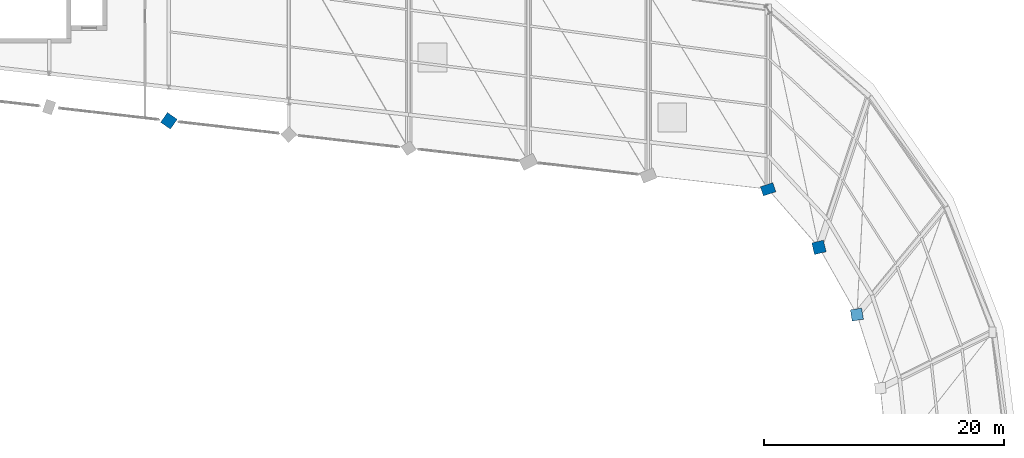
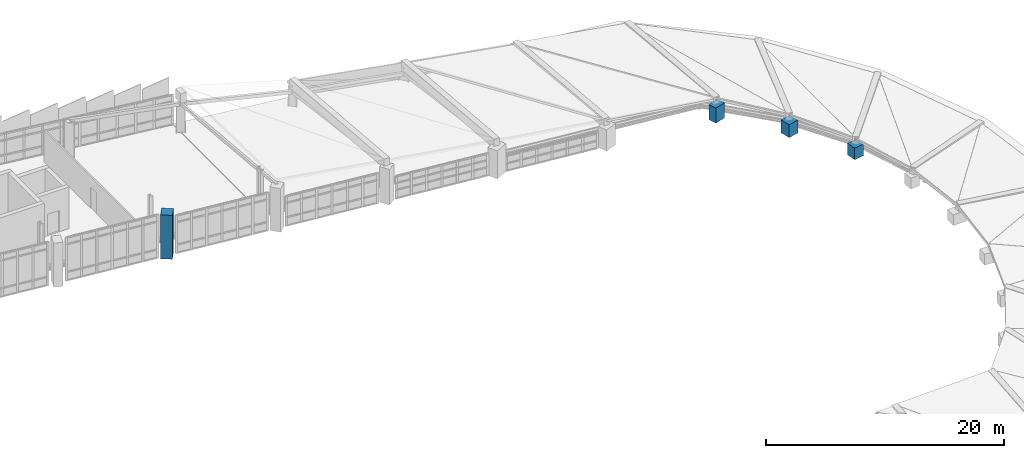
# One storey, part 8 of 67: 4 columns.
"""IFC4 building model written with IfcOpenShell, lengths in metres."""

from ifc_helpers import new_model, si_unit, direction, frame, origin, origin_2d, place, context, subcontext, project, spatial, rectangle, extrude, material, material_profile, profile_set, type_object, element, save


model = new_model("IFC4")

# Units and contexts
model_context = context("Model", 3, precision=1e-05, world=origin(), true_north=direction((0.0, 1.0)))
body_context = subcontext(model_context, "Body", "Model", "MODEL_VIEW")
ifc_project = project(units=[si_unit("LENGTHUNIT", "METRE"), si_unit("AREAUNIT", "SQUARE_METRE"), si_unit("VOLUMEUNIT", "CUBIC_METRE"), si_unit("PLANEANGLEUNIT", "RADIAN"), si_unit("MASSUNIT", "GRAM", prefix="KILO")], contexts=[model_context])

# Site, building, storey
site_placement = place(None, origin())
site = spatial("IfcSite", under=ifc_project, at=site_placement, CompositionType="ELEMENT")
building_placement = place(site_placement, origin())
building = spatial("IfcBuilding", under=site, at=building_placement, Name="Sohan Crest Arena", CompositionType="ELEMENT")
storey_placement = place(building_placement, frame((0.0, 0.0, 22.5)))
storey = spatial("IfcBuildingStorey", under=building, at=storey_placement, Name="L05", CompositionType="ELEMENT", Elevation=22.5)

# Columns
ifc_material = material(Name="Concrete C40/50", Category="concrete")
ifc_material_profile_1 = material_profile(ifc_material, rectangle(XDim=0.949951171875, YDim=0.949951171875, at=origin_2d()), Name="RC 950x950")
ifc_profile_set_1 = profile_set([ifc_material_profile_1], Name="Concrete C40/50")
column_type_1 = type_object("IfcColumnType", Name="STR-COL-C08", PredefinedType="COLUMN", material=ifc_profile_set_1)
column_1_placement = place(storey_placement, frame((175.408935546875, 90.544921875, 0.0), z_axis=(0.0, 0.0, 1.0), x_axis=(0.987136265073, 0.159881187692, 0.0)))
element("IfcColumn", 1, at=column_1_placement, inside=storey, type_object=column_type_1, Name="Structural column COL-V1R-26-L05", PredefinedType="COLUMN", context=body_context, shape_type="SweptSolid", body=[
    extrude(rectangle(XDim=0.949951171875, YDim=0.949951171875, at=origin_2d()), origin(), (0.0, 0.0, 1.0), 1.18310546875),
])
ifc_material_profile_2 = material_profile(ifc_material, rectangle(XDim=1.0, YDim=1.0, at=origin_2d()), Name="RC 1000x1000")
ifc_profile_set_2 = profile_set([ifc_material_profile_2], Name="Concrete C40/50")
column_type_2 = type_object("IfcColumnType", Name="STR-COL-C09", PredefinedType="COLUMN", material=ifc_profile_set_2)
column_2_placement = place(storey_placement, frame((172.242919921875, 96.154052734375, 0.0), z_axis=(0.0, 0.0, 1.0), x_axis=(0.971549119998, 0.236838146066, 0.0)))
element("IfcColumn", 2, at=column_2_placement, inside=storey, type_object=column_type_2, Name="Structural column COL-V1R-27-L05", PredefinedType="COLUMN", context=body_context, shape_type="SweptSolid", body=[
    extrude(rectangle(XDim=1.0, YDim=1.0, at=origin_2d()), origin(), (0.0, 0.0, 1.0), 1.324951171875),
])
column_3_placement = place(storey_placement, frame((118.0, 106.714111328125, 0.0), z_axis=(0.0, 0.0, 1.0), x_axis=(0.572145873446, 0.820151875874, 0.0)))
element("IfcColumn", 3, at=column_3_placement, inside=storey, type_object=column_type_2, Name="Structural column COL-V1R-33-L05", PredefinedType="COLUMN", context=body_context, shape_type="SweptSolid", body=[
    extrude(rectangle(XDim=1.0, YDim=1.0, at=origin_2d()), origin(), (0.0, 0.0, 1.0), 4.5),
])
ifc_material_profile_3 = material_profile(ifc_material, rectangle(XDim=1.10009765625, YDim=0.800048828125, at=origin_2d()), Name="RC 1100x800")
ifc_profile_set_3 = profile_set([ifc_material_profile_3], Name="Concrete C40/50")
column_type_3 = type_object("IfcColumnType", Name="STR-COL-C10", PredefinedType="COLUMN", material=ifc_profile_set_3)
column_4_placement = place(storey_placement, frame((168.0, 101.0, 0.0), z_axis=(0.0, 0.0, 1.0), x_axis=(0.949972051525, 0.312334918512, 0.0)))
element("IfcColumn", 4, at=column_4_placement, inside=storey, type_object=column_type_3, Name="Structural column COL-V1R-28-L05", PredefinedType="COLUMN", context=body_context, shape_type="SweptSolid", body=[
    extrude(rectangle(XDim=1.10009765625, YDim=0.800048828125, at=origin_2d()), origin(), (0.0, 0.0, 1.0), 1.549072265625),
])

save(model, "model.ifc")
